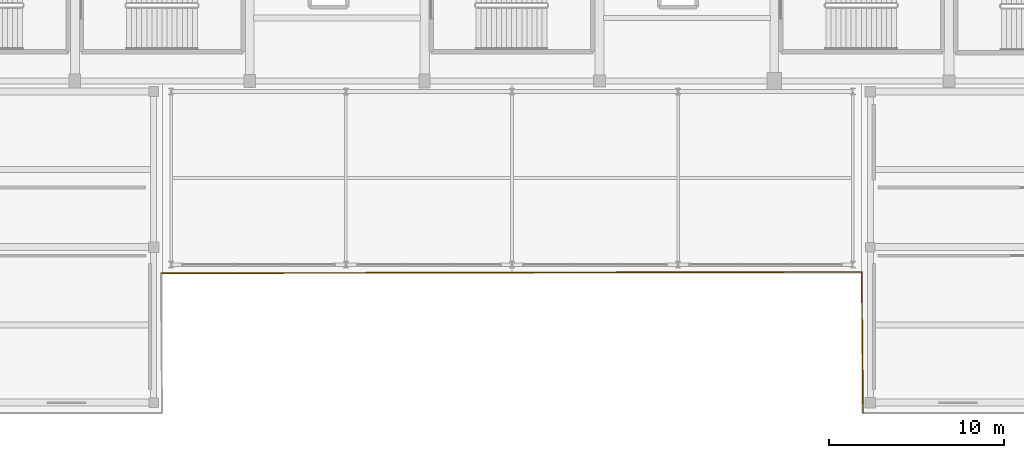
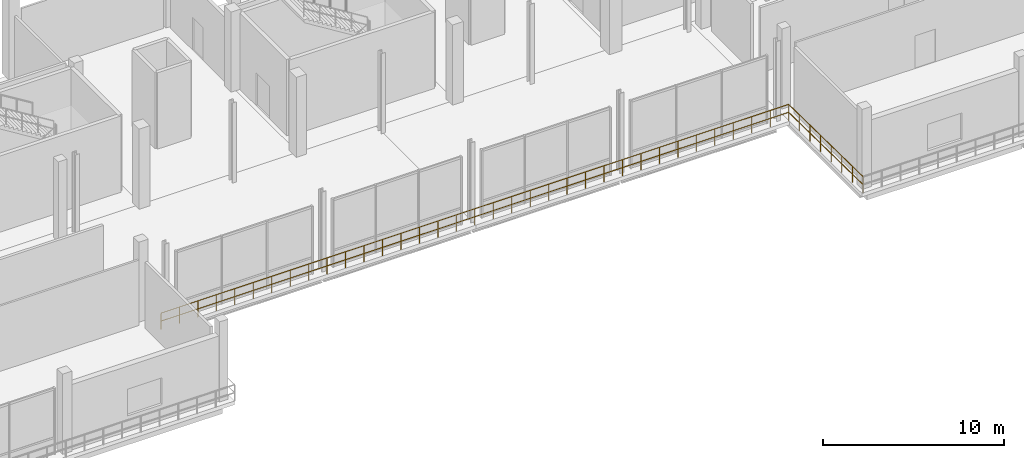
# One storey, part 92 of 111: 2 railings.
"""IFC4 building model written with IfcOpenShell, lengths in metres."""

from ifc_helpers import new_model, si_unit, direction, frame, origin, origin_2d, place, context, subcontext, project, spatial, circle, extrude, material, layer, layer_set, type_object, element, save


model = new_model("IFC4")

# Units and contexts
model_context = context("Model", 3, precision=1e-05, world=origin(), true_north=direction((0.0, 1.0)))
body_context = subcontext(model_context, "Body", "Model", "MODEL_VIEW")
ifc_project = project(units=[si_unit("LENGTHUNIT", "METRE"), si_unit("AREAUNIT", "SQUARE_METRE"), si_unit("VOLUMEUNIT", "CUBIC_METRE"), si_unit("PLANEANGLEUNIT", "RADIAN"), si_unit("MASSUNIT", "GRAM", prefix="KILO")], contexts=[model_context])

# Site, building, storey
site_placement = place(None, origin())
site = spatial("IfcSite", under=ifc_project, at=site_placement, CompositionType="ELEMENT")
building_placement = place(site_placement, origin())
building = spatial("IfcBuilding", under=site, at=building_placement, Name="Candeia Ridge Stadium", CompositionType="ELEMENT")
storey_placement = place(building_placement, frame((0.0, 0.0, 16.199951171875)))
storey = spatial("IfcBuildingStorey", under=building, at=storey_placement, Name="L03", CompositionType="ELEMENT", Elevation=16.199951171875)

# Railings
ifc_material = material(Name="Galvanized Powder-Coated Steel", Category="steel")
ifc_layer = layer(ifc_material, 0.074951171875, Name="Galvanized Powder-Coated Steel", Category="steel")
ifc_layer_set = layer_set([ifc_layer], Name="Galvanized Powder-Coated Steel")
railing_type = type_object("IfcRailingType", Name="Spectator Bowl Front Guardrail 1120", PredefinedType="GUARDRAIL", material=ifc_layer_set)
railing_1_placement = place(storey_placement, frame((126.080078125, 0.0, 0.0)))
element("IfcRailing", 1, at=railing_1_placement, inside=storey, type_object=railing_type, Name="Deck edge safety guardrail GR-DE-L03-0152", PredefinedType="GUARDRAIL", context=body_context, shape_type="SweptSolid", body=[
    extrude(circle(Radius=0.02392578125, at=origin_2d()), frame((0.0, 0.0, 1.09619140625), z_axis=(-0.009910076542, 0.999950893986, 0.0), x_axis=(-0.999950893986, -0.009910076542, 0.0)), (0.0, 0.0, 1.0), 8.08056640625),
    extrude(circle(Radius=0.02392578125, at=origin_2d()), frame((0.0, 0.0, 0.56005859375), z_axis=(-0.009910076542, 0.999950893986, 0.0), x_axis=(-0.999950893986, -0.009910076542, 0.0)), (0.0, 0.0, 1.0), 8.08056640625),
    extrude(circle(Radius=0.02099609375, at=origin_2d()), origin(), (0.0, 0.0, 1.0), 1.072021484375),
    extrude(circle(Radius=0.02099609375, at=origin_2d()), frame((-0.011474609375, 1.154296875, 0.0)), (0.0, 0.0, 1.0), 1.072021484375),
    extrude(circle(Radius=0.02099609375, at=origin_2d()), frame((-0.02294921875, 2.30859375, 0.0)), (0.0, 0.0, 1.0), 1.072021484375),
    extrude(circle(Radius=0.02099609375, at=origin_2d()), frame((-0.034423828125, 3.462890625, 0.0)), (0.0, 0.0, 1.0), 1.072021484375),
    extrude(circle(Radius=0.02099609375, at=origin_2d()), frame((-0.045654296875, 4.6171875, 0.0)), (0.0, 0.0, 1.0), 1.072021484375),
    extrude(circle(Radius=0.02099609375, at=origin_2d()), frame((-0.05712890625, 5.771484375, 0.0)), (0.0, 0.0, 1.0), 1.072021484375),
    extrude(circle(Radius=0.02099609375, at=origin_2d()), frame((-0.068603515625, 6.92578125, 0.0)), (0.0, 0.0, 1.0), 1.072021484375),
    extrude(circle(Radius=0.02099609375, at=origin_2d()), frame((-0.080078125, 8.080078125, 0.0)), (0.0, 0.0, 1.0), 1.072021484375),
])
railing_2_placement = place(storey_placement, frame((126.0, 8.080078125, 0.0)))
element("IfcRailing", 2, at=railing_2_placement, inside=storey, type_object=railing_type, Name="Deck edge safety guardrail GR-DE-L03-0153", PredefinedType="GUARDRAIL", context=body_context, shape_type="SweptSolid", body=[
    extrude(circle(Radius=0.02392578125, at=origin_2d()), frame((0.0, 0.0, 1.09619140625), z_axis=(-0.999998004097, -0.001997949328, 0.0), x_axis=(0.001997949328, -0.999998004097, 0.0)), (0.0, 0.0, 1.0), 40.080078125),
    extrude(circle(Radius=0.02392578125, at=origin_2d()), frame((0.0, 0.0, 0.56005859375), z_axis=(-0.999998004097, -0.001997949328, 0.0), x_axis=(0.001997949328, -0.999998004097, 0.0)), (0.0, 0.0, 1.0), 40.080078125),
    extrude(circle(Radius=0.02099609375, at=origin_2d()), origin(), (0.0, 0.0, 1.0), 1.072021484375),
    extrude(circle(Radius=0.02099609375, at=origin_2d()), frame((-1.1787109375, -0.00244140625, 0.0)), (0.0, 0.0, 1.0), 1.072021484375),
    extrude(circle(Radius=0.02099609375, at=origin_2d()), frame((-2.357666015625, -0.004638671875, 0.0)), (0.0, 0.0, 1.0), 1.072021484375),
    extrude(circle(Radius=0.02099609375, at=origin_2d()), frame((-3.536376953125, -0.007080078125, 0.0)), (0.0, 0.0, 1.0), 1.072021484375),
    extrude(circle(Radius=0.02099609375, at=origin_2d()), frame((-4.71533203125, -0.009521484375, 0.0)), (0.0, 0.0, 1.0), 1.072021484375),
    extrude(circle(Radius=0.02099609375, at=origin_2d()), frame((-5.89404296875, -0.01171875, 0.0)), (0.0, 0.0, 1.0), 1.072021484375),
    extrude(circle(Radius=0.02099609375, at=origin_2d()), frame((-7.072998046875, -0.01416015625, 0.0)), (0.0, 0.0, 1.0), 1.072021484375),
    extrude(circle(Radius=0.02099609375, at=origin_2d()), frame((-8.251708984375, -0.0166015625, 0.0)), (0.0, 0.0, 1.0), 1.072021484375),
    extrude(circle(Radius=0.02099609375, at=origin_2d()), frame((-9.4306640625, -0.018798828125, 0.0)), (0.0, 0.0, 1.0), 1.072021484375),
    extrude(circle(Radius=0.02099609375, at=origin_2d()), frame((-10.609375, -0.021240234375, 0.0)), (0.0, 0.0, 1.0), 1.072021484375),
    extrude(circle(Radius=0.02099609375, at=origin_2d()), frame((-11.788330078125, -0.0234375, 0.0)), (0.0, 0.0, 1.0), 1.072021484375),
    extrude(circle(Radius=0.02099609375, at=origin_2d()), frame((-12.967041015625, -0.02587890625, 0.0)), (0.0, 0.0, 1.0), 1.072021484375),
    extrude(circle(Radius=0.02099609375, at=origin_2d()), frame((-14.14599609375, -0.0283203125, 0.0)), (0.0, 0.0, 1.0), 1.072021484375),
    extrude(circle(Radius=0.02099609375, at=origin_2d()), frame((-15.32470703125, -0.030517578125, 0.0)), (0.0, 0.0, 1.0), 1.072021484375),
    extrude(circle(Radius=0.02099609375, at=origin_2d()), frame((-16.503662109375, -0.032958984375, 0.0)), (0.0, 0.0, 1.0), 1.072021484375),
    extrude(circle(Radius=0.02099609375, at=origin_2d()), frame((-17.682373046875, -0.035400390625, 0.0)), (0.0, 0.0, 1.0), 1.072021484375),
    extrude(circle(Radius=0.02099609375, at=origin_2d()), frame((-18.861328125, -0.03759765625, 0.0)), (0.0, 0.0, 1.0), 1.072021484375),
    extrude(circle(Radius=0.02099609375, at=origin_2d()), frame((-20.0400390625, -0.0400390625, 0.0)), (0.0, 0.0, 1.0), 1.072021484375),
    extrude(circle(Radius=0.02099609375, at=origin_2d()), frame((-21.21875, -0.04248046875, 0.0)), (0.0, 0.0, 1.0), 1.072021484375),
    extrude(circle(Radius=0.02099609375, at=origin_2d()), frame((-22.397705078125, -0.044677734375, 0.0)), (0.0, 0.0, 1.0), 1.072021484375),
    extrude(circle(Radius=0.02099609375, at=origin_2d()), frame((-23.576416015625, -0.047119140625, 0.0)), (0.0, 0.0, 1.0), 1.072021484375),
    extrude(circle(Radius=0.02099609375, at=origin_2d()), frame((-24.75537109375, -0.049560546875, 0.0)), (0.0, 0.0, 1.0), 1.072021484375),
    extrude(circle(Radius=0.02099609375, at=origin_2d()), frame((-25.93408203125, -0.0517578125, 0.0)), (0.0, 0.0, 1.0), 1.072021484375),
    extrude(circle(Radius=0.02099609375, at=origin_2d()), frame((-27.113037109375, -0.05419921875, 0.0)), (0.0, 0.0, 1.0), 1.072021484375),
    extrude(circle(Radius=0.02099609375, at=origin_2d()), frame((-28.291748046875, -0.056640625, 0.0)), (0.0, 0.0, 1.0), 1.072021484375),
    extrude(circle(Radius=0.02099609375, at=origin_2d()), frame((-29.470703125, -0.058837890625, 0.0)), (0.0, 0.0, 1.0), 1.072021484375),
    extrude(circle(Radius=0.02099609375, at=origin_2d()), frame((-30.6494140625, -0.061279296875, 0.0)), (0.0, 0.0, 1.0), 1.072021484375),
    extrude(circle(Radius=0.02099609375, at=origin_2d()), frame((-31.828369140625, -0.0634765625, 0.0)), (0.0, 0.0, 1.0), 1.072021484375),
    extrude(circle(Radius=0.02099609375, at=origin_2d()), frame((-33.007080078125, -0.06591796875, 0.0)), (0.0, 0.0, 1.0), 1.072021484375),
    extrude(circle(Radius=0.02099609375, at=origin_2d()), frame((-34.18603515625, -0.068359375, 0.0)), (0.0, 0.0, 1.0), 1.072021484375),
    extrude(circle(Radius=0.02099609375, at=origin_2d()), frame((-35.36474609375, -0.070556640625, 0.0)), (0.0, 0.0, 1.0), 1.072021484375),
    extrude(circle(Radius=0.02099609375, at=origin_2d()), frame((-36.543701171875, -0.072998046875, 0.0)), (0.0, 0.0, 1.0), 1.072021484375),
    extrude(circle(Radius=0.02099609375, at=origin_2d()), frame((-37.722412109375, -0.075439453125, 0.0)), (0.0, 0.0, 1.0), 1.072021484375),
    extrude(circle(Radius=0.02099609375, at=origin_2d()), frame((-38.9013671875, -0.07763671875, 0.0)), (0.0, 0.0, 1.0), 1.072021484375),
    extrude(circle(Radius=0.02099609375, at=origin_2d()), frame((-40.080078125, -0.080078125, 0.0)), (0.0, 0.0, 1.0), 1.072021484375),
])

save(model, "model.ifc")
